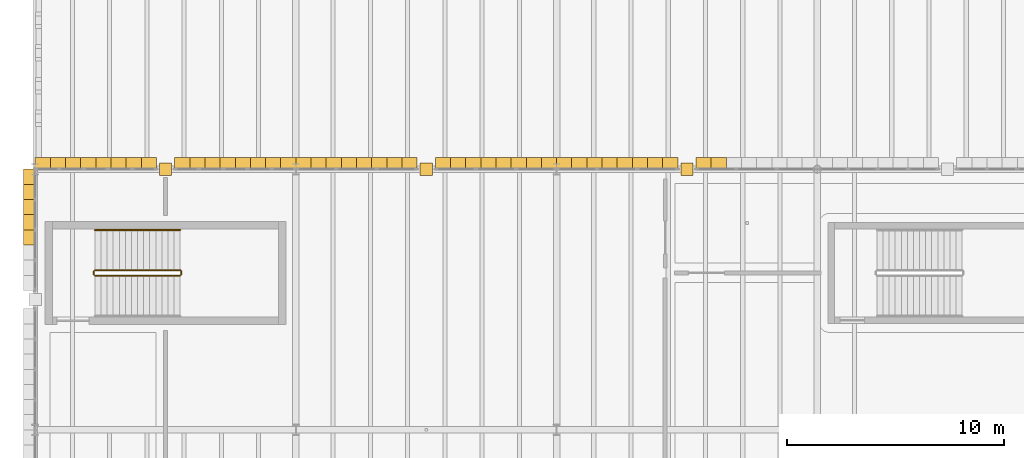
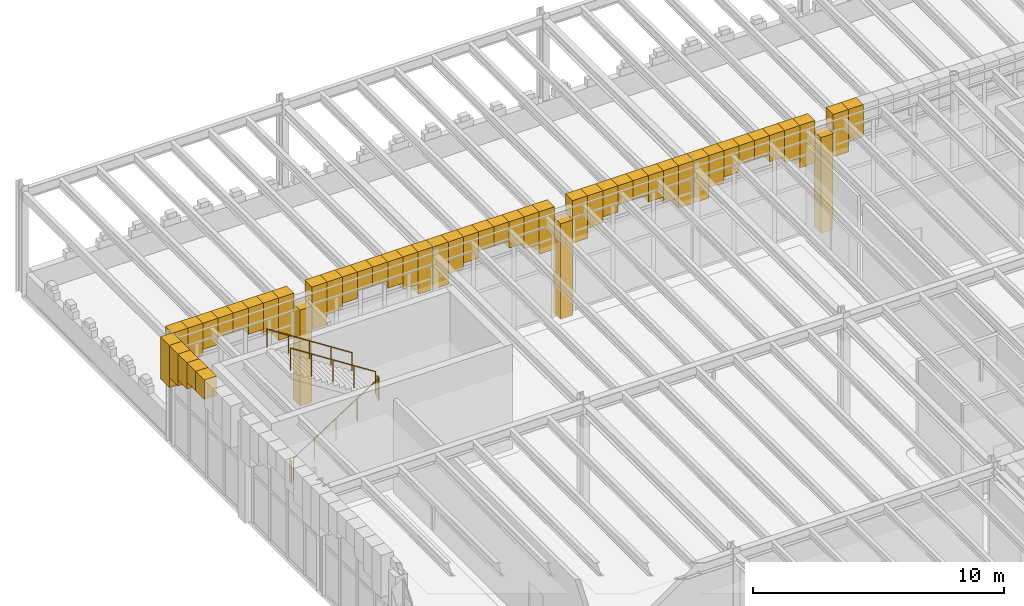
# One storey, part 81 of 100: 50 coverings, 5 railings.
"""IFC4 building model written with IfcOpenShell, lengths in metres."""

from ifc_helpers import new_model, si_unit, direction, frame, origin, origin_2d, place, context, subcontext, project, spatial, polyline, circle, outline, extrude, material, layer, layer_set, type_object, element, save


model = new_model("IFC4")

# Units and contexts
model_context = context("Model", 3, precision=1e-05, world=origin(), true_north=direction((0.0, 1.0)))
body_context = subcontext(model_context, "Body", "Model", "MODEL_VIEW")
ifc_project = project(units=[si_unit("LENGTHUNIT", "METRE"), si_unit("AREAUNIT", "SQUARE_METRE"), si_unit("VOLUMEUNIT", "CUBIC_METRE"), si_unit("PLANEANGLEUNIT", "RADIAN"), si_unit("MASSUNIT", "GRAM", prefix="KILO")], contexts=[model_context])

# Site, building, storey
site_placement = place(None, origin())
site = spatial("IfcSite", under=ifc_project, at=site_placement, CompositionType="ELEMENT")
building_placement = place(site_placement, origin())
building = spatial("IfcBuilding", under=site, at=building_placement, Name="Zlatogorsky Bluff Art Gallery", CompositionType="ELEMENT")
storey_placement = place(building_placement, frame((0.0, 0.0, 5.39990234375)))
storey = spatial("IfcBuildingStorey", under=building, at=storey_placement, Name="L01", CompositionType="ELEMENT", Elevation=5.39990234375)

# Coverings
ifc_material_1 = material(Name="Honed Red Agra-Tone Quartzitic Sandstone", Category="masonry")
ifc_layer = layer(ifc_material_1, 0.1201171875)
ifc_layer_set = layer_set([ifc_layer], Name="Carved Sandstone Cladding CLD-02")
covering_type = type_object("IfcCoveringType", Name="Carved Sandstone Cladding CLD-02", PredefinedType="CLADDING", material=ifc_layer_set)
covering_1_placement = place(storey_placement, frame((0.0, 0.0, -0.02978515625)))
element("IfcCovering", 1, at=covering_1_placement, inside=storey, type_object=covering_type, Name="Mughal dalan central sandstone pier L01 N 0.9", PredefinedType="CLADDING", context=body_context, shape_type="SweptSolid", body=[
    extrude(outline(polyline([(5.719970703125, 107.719970703125), (6.280029296875, 107.719970703125), (6.280029296875, 108.280029296875), (5.719970703125, 108.280029296875), (5.719970703125, 107.719970703125)])), origin(), (0.0, 0.0, 1.0), 4.659912109375),
])
covering_2_placement = place(storey_placement, frame((0.0, 0.0, 3.2978515625)))
element("IfcCovering", 2, at=covering_2_placement, inside=storey, type_object=covering_type, Name="Pointed Mughal arch voussoir spandrel ARCH-CW-L01-N-00-09-A.1", PredefinedType="CLADDING", context=body_context, shape_type="SweptSolid", body=[
    extrude(outline(polyline([(6.419921875, 107.969970703125), (7.117431640625, 107.969970703125), (7.117431640625, 108.5400390625), (6.419921875, 108.5400390625), (6.419921875, 107.969970703125)])), origin(), (0.0, 0.0, 1.0), 2.062255859375),
])
covering_3_placement = place(storey_placement, frame((0.0, 0.0, 3.7998046875)))
element("IfcCovering", 3, at=covering_3_placement, inside=storey, type_object=covering_type, Name="Pointed Mughal arch voussoir spandrel ARCH-CW-L01-N-00-09-A.2", PredefinedType="CLADDING", context=body_context, shape_type="SweptSolid", body=[
    extrude(outline(polyline([(7.117431640625, 107.969970703125), (7.81494140625, 107.969970703125), (7.81494140625, 108.5400390625), (7.117431640625, 108.5400390625), (7.117431640625, 107.969970703125)])), origin(), (0.0, 0.0, 1.0), 1.560302734375),
])
covering_4_placement = place(storey_placement, frame((0.0, 0.0, 4.076416015625)))
element("IfcCovering", 4, at=covering_4_placement, inside=storey, type_object=covering_type, Name="Pointed Mughal arch voussoir spandrel ARCH-CW-L01-N-00-09-A.3", PredefinedType="CLADDING", context=body_context, shape_type="SweptSolid", body=[
    extrude(outline(polyline([(7.81494140625, 107.969970703125), (8.512451171875, 107.969970703125), (8.512451171875, 108.5400390625), (7.81494140625, 108.5400390625), (7.81494140625, 107.969970703125)])), origin(), (0.0, 0.0, 1.0), 1.28369140625),
])
covering_5_placement = place(storey_placement, frame((0.0, 0.0, 4.424560546875)))
element("IfcCovering", 5, at=covering_5_placement, inside=storey, type_object=covering_type, Name="Pointed Mughal arch voussoir spandrel ARCH-CW-L01-N-00-09-A.4", PredefinedType="CLADDING", context=body_context, shape_type="SweptSolid", body=[
    extrude(outline(polyline([(8.512451171875, 107.969970703125), (9.2099609375, 107.969970703125), (9.2099609375, 108.5400390625), (8.512451171875, 108.5400390625), (8.512451171875, 107.969970703125)])), origin(), (0.0, 0.0, 1.0), 0.935546875),
])
covering_6_placement = place(storey_placement, frame((0.0, 0.0, 4.424560546875)))
element("IfcCovering", 6, at=covering_6_placement, inside=storey, type_object=covering_type, Name="Pointed Mughal arch voussoir spandrel ARCH-CW-L01-N-00-09-A.5", PredefinedType="CLADDING", context=body_context, shape_type="SweptSolid", body=[
    extrude(outline(polyline([(9.2099609375, 107.969970703125), (9.907470703125, 107.969970703125), (9.907470703125, 108.5400390625), (9.2099609375, 108.5400390625), (9.2099609375, 107.969970703125)])), origin(), (0.0, 0.0, 1.0), 0.935546875),
])
covering_7_placement = place(storey_placement, frame((0.0, 0.0, 4.076416015625)))
element("IfcCovering", 7, at=covering_7_placement, inside=storey, type_object=covering_type, Name="Pointed Mughal arch voussoir spandrel ARCH-CW-L01-N-00-09-A.6", PredefinedType="CLADDING", context=body_context, shape_type="SweptSolid", body=[
    extrude(outline(polyline([(9.907470703125, 107.969970703125), (10.60498046875, 107.969970703125), (10.60498046875, 108.5400390625), (9.907470703125, 108.5400390625), (9.907470703125, 107.969970703125)])), origin(), (0.0, 0.0, 1.0), 1.28369140625),
])
covering_8_placement = place(storey_placement, frame((0.0, 0.0, 3.7998046875)))
element("IfcCovering", 8, at=covering_8_placement, inside=storey, type_object=covering_type, Name="Pointed Mughal arch voussoir spandrel ARCH-CW-L01-N-00-09-A.7", PredefinedType="CLADDING", context=body_context, shape_type="SweptSolid", body=[
    extrude(outline(polyline([(10.60498046875, 107.969970703125), (11.302490234375, 107.969970703125), (11.302490234375, 108.5400390625), (10.60498046875, 108.5400390625), (10.60498046875, 107.969970703125)])), origin(), (0.0, 0.0, 1.0), 1.560302734375),
])
covering_9_placement = place(storey_placement, frame((0.0, 0.0, 3.2978515625)))
element("IfcCovering", 9, at=covering_9_placement, inside=storey, type_object=covering_type, Name="Pointed Mughal arch voussoir spandrel ARCH-CW-L01-N-00-09-A.8", PredefinedType="CLADDING", context=body_context, shape_type="SweptSolid", body=[
    extrude(outline(polyline([(11.302490234375, 107.969970703125), (12.0, 107.969970703125), (12.0, 108.5400390625), (11.302490234375, 108.5400390625), (11.302490234375, 107.969970703125)])), origin(), (0.0, 0.0, 1.0), 2.062255859375),
])
covering_10_placement = place(storey_placement, frame((0.0, 0.0, 3.2978515625)))
element("IfcCovering", 10, at=covering_10_placement, inside=storey, type_object=covering_type, Name="Pointed Mughal arch voussoir spandrel ARCH-CW-L01-N-00-09-B.1", PredefinedType="CLADDING", context=body_context, shape_type="SweptSolid", body=[
    extrude(outline(polyline([(0.0, 107.969970703125), (0.697509765625, 107.969970703125), (0.697509765625, 108.5400390625), (0.0, 108.5400390625), (0.0, 107.969970703125)])), origin(), (0.0, 0.0, 1.0), 2.062255859375),
])
covering_11_placement = place(storey_placement, frame((0.0, 0.0, 3.7998046875)))
element("IfcCovering", 11, at=covering_11_placement, inside=storey, type_object=covering_type, Name="Pointed Mughal arch voussoir spandrel ARCH-CW-L01-N-00-09-B.2", PredefinedType="CLADDING", context=body_context, shape_type="SweptSolid", body=[
    extrude(outline(polyline([(0.697509765625, 107.969970703125), (1.39501953125, 107.969970703125), (1.39501953125, 108.5400390625), (0.697509765625, 108.5400390625), (0.697509765625, 107.969970703125)])), origin(), (0.0, 0.0, 1.0), 1.560302734375),
])
covering_12_placement = place(storey_placement, frame((0.0, 0.0, 4.076416015625)))
element("IfcCovering", 12, at=covering_12_placement, inside=storey, type_object=covering_type, Name="Pointed Mughal arch voussoir spandrel ARCH-CW-L01-N-00-09-B.3", PredefinedType="CLADDING", context=body_context, shape_type="SweptSolid", body=[
    extrude(outline(polyline([(1.39501953125, 107.969970703125), (2.092529296875, 107.969970703125), (2.092529296875, 108.5400390625), (1.39501953125, 108.5400390625), (1.39501953125, 107.969970703125)])), origin(), (0.0, 0.0, 1.0), 1.28369140625),
])
covering_13_placement = place(storey_placement, frame((0.0, 0.0, 4.424560546875)))
element("IfcCovering", 13, at=covering_13_placement, inside=storey, type_object=covering_type, Name="Pointed Mughal arch voussoir spandrel ARCH-CW-L01-N-00-09-B.4", PredefinedType="CLADDING", context=body_context, shape_type="SweptSolid", body=[
    extrude(outline(polyline([(2.092529296875, 107.969970703125), (2.7900390625, 107.969970703125), (2.7900390625, 108.5400390625), (2.092529296875, 108.5400390625), (2.092529296875, 107.969970703125)])), origin(), (0.0, 0.0, 1.0), 0.935546875),
])
covering_14_placement = place(storey_placement, frame((0.0, 0.0, 4.424560546875)))
element("IfcCovering", 14, at=covering_14_placement, inside=storey, type_object=covering_type, Name="Pointed Mughal arch voussoir spandrel ARCH-CW-L01-N-00-09-B.5", PredefinedType="CLADDING", context=body_context, shape_type="SweptSolid", body=[
    extrude(outline(polyline([(2.7900390625, 107.969970703125), (3.487548828125, 107.969970703125), (3.487548828125, 108.5400390625), (2.7900390625, 108.5400390625), (2.7900390625, 107.969970703125)])), origin(), (0.0, 0.0, 1.0), 0.935546875),
])
covering_15_placement = place(storey_placement, frame((0.0, 0.0, 4.076416015625)))
element("IfcCovering", 15, at=covering_15_placement, inside=storey, type_object=covering_type, Name="Pointed Mughal arch voussoir spandrel ARCH-CW-L01-N-00-09-B.6", PredefinedType="CLADDING", context=body_context, shape_type="SweptSolid", body=[
    extrude(outline(polyline([(3.487548828125, 107.969970703125), (4.18505859375, 107.969970703125), (4.18505859375, 108.5400390625), (3.487548828125, 108.5400390625), (3.487548828125, 107.969970703125)])), origin(), (0.0, 0.0, 1.0), 1.28369140625),
])
covering_16_placement = place(storey_placement, frame((0.0, 0.0, 3.7998046875)))
element("IfcCovering", 16, at=covering_16_placement, inside=storey, type_object=covering_type, Name="Pointed Mughal arch voussoir spandrel ARCH-CW-L01-N-00-09-B.7", PredefinedType="CLADDING", context=body_context, shape_type="SweptSolid", body=[
    extrude(outline(polyline([(4.18505859375, 107.969970703125), (4.882568359375, 107.969970703125), (4.882568359375, 108.5400390625), (4.18505859375, 108.5400390625), (4.18505859375, 107.969970703125)])), origin(), (0.0, 0.0, 1.0), 1.560302734375),
])
covering_17_placement = place(storey_placement, frame((0.0, 0.0, 3.2978515625)))
element("IfcCovering", 17, at=covering_17_placement, inside=storey, type_object=covering_type, Name="Pointed Mughal arch voussoir spandrel ARCH-CW-L01-N-00-09-B.8", PredefinedType="CLADDING", context=body_context, shape_type="SweptSolid", body=[
    extrude(outline(polyline([(4.882568359375, 107.969970703125), (5.580078125, 107.969970703125), (5.580078125, 108.5400390625), (4.882568359375, 108.5400390625), (4.882568359375, 107.969970703125)])), origin(), (0.0, 0.0, 1.0), 2.062255859375),
])
covering_18_placement = place(storey_placement, frame((0.0, 0.0, 4.424560546875)))
element("IfcCovering", 18, at=covering_18_placement, inside=storey, type_object=covering_type, Name="Pointed Mughal arch voussoir spandrel ARCH-CW-L01-W-00-09-A.4", PredefinedType="CLADDING", context=body_context, shape_type="SweptSolid", body=[
    extrude(outline(polyline([(-0.5400390625, 104.512451171875), (-0.5400390625, 105.2099609375), (0.030029296875, 105.2099609375), (0.030029296875, 104.512451171875), (-0.5400390625, 104.512451171875)])), origin(), (0.0, 0.0, 1.0), 0.935546875),
])
covering_19_placement = place(storey_placement, frame((0.0, 0.0, 4.424560546875)))
element("IfcCovering", 19, at=covering_19_placement, inside=storey, type_object=covering_type, Name="Pointed Mughal arch voussoir spandrel ARCH-CW-L01-W-00-09-A.5", PredefinedType="CLADDING", context=body_context, shape_type="SweptSolid", body=[
    extrude(outline(polyline([(-0.5400390625, 105.2099609375), (-0.5400390625, 105.907470703125), (0.030029296875, 105.907470703125), (0.030029296875, 105.2099609375), (-0.5400390625, 105.2099609375)])), origin(), (0.0, 0.0, 1.0), 0.935546875),
])
covering_20_placement = place(storey_placement, frame((0.0, 0.0, 4.076416015625)))
element("IfcCovering", 20, at=covering_20_placement, inside=storey, type_object=covering_type, Name="Pointed Mughal arch voussoir spandrel ARCH-CW-L01-W-00-09-A.6", PredefinedType="CLADDING", context=body_context, shape_type="SweptSolid", body=[
    extrude(outline(polyline([(-0.5400390625, 105.907470703125), (-0.5400390625, 106.60498046875), (0.030029296875, 106.60498046875), (0.030029296875, 105.907470703125), (-0.5400390625, 105.907470703125)])), origin(), (0.0, 0.0, 1.0), 1.28369140625),
])
covering_21_placement = place(storey_placement, frame((0.0, 0.0, 3.7998046875)))
element("IfcCovering", 21, at=covering_21_placement, inside=storey, type_object=covering_type, Name="Pointed Mughal arch voussoir spandrel ARCH-CW-L01-W-00-09-A.7", PredefinedType="CLADDING", context=body_context, shape_type="SweptSolid", body=[
    extrude(outline(polyline([(-0.5400390625, 106.60498046875), (-0.5400390625, 107.302490234375), (0.030029296875, 107.302490234375), (0.030029296875, 106.60498046875), (-0.5400390625, 106.60498046875)])), origin(), (0.0, 0.0, 1.0), 1.560302734375),
])
covering_22_placement = place(storey_placement, frame((0.0, 0.0, 3.2978515625)))
element("IfcCovering", 22, at=covering_22_placement, inside=storey, type_object=covering_type, Name="Pointed Mughal arch voussoir spandrel ARCH-CW-L01-W-00-09-A.8", PredefinedType="CLADDING", context=body_context, shape_type="SweptSolid", body=[
    extrude(outline(polyline([(-0.5400390625, 107.302490234375), (-0.5400390625, 108.0), (0.030029296875, 108.0), (0.030029296875, 107.302490234375), (-0.5400390625, 107.302490234375)])), origin(), (0.0, 0.0, 1.0), 2.062255859375),
])
covering_23_placement = place(storey_placement, frame((0.0, 0.0, -0.02978515625)))
element("IfcCovering", 23, at=covering_23_placement, inside=storey, type_object=covering_type, Name="Mughal dalan central sandstone pier L01 N 1.9", PredefinedType="CLADDING", context=body_context, shape_type="SweptSolid", body=[
    extrude(outline(polyline([(17.719970703125, 107.719970703125), (18.280029296875, 107.719970703125), (18.280029296875, 108.280029296875), (17.719970703125, 108.280029296875), (17.719970703125, 107.719970703125)])), origin(), (0.0, 0.0, 1.0), 4.659912109375),
])
covering_24_placement = place(storey_placement, frame((0.0, 0.0, 3.2978515625)))
element("IfcCovering", 24, at=covering_24_placement, inside=storey, type_object=covering_type, Name="Pointed Mughal arch voussoir spandrel ARCH-CW-L01-N-01-09-A.1", PredefinedType="CLADDING", context=body_context, shape_type="SweptSolid", body=[
    extrude(outline(polyline([(18.419921875, 107.969970703125), (19.117431640625, 107.969970703125), (19.117431640625, 108.5400390625), (18.419921875, 108.5400390625), (18.419921875, 107.969970703125)])), origin(), (0.0, 0.0, 1.0), 2.062255859375),
])
covering_25_placement = place(storey_placement, frame((0.0, 0.0, 3.7998046875)))
element("IfcCovering", 25, at=covering_25_placement, inside=storey, type_object=covering_type, Name="Pointed Mughal arch voussoir spandrel ARCH-CW-L01-N-01-09-A.2", PredefinedType="CLADDING", context=body_context, shape_type="SweptSolid", body=[
    extrude(outline(polyline([(19.117431640625, 107.969970703125), (19.81494140625, 107.969970703125), (19.81494140625, 108.5400390625), (19.117431640625, 108.5400390625), (19.117431640625, 107.969970703125)])), origin(), (0.0, 0.0, 1.0), 1.560302734375),
])
covering_26_placement = place(storey_placement, frame((0.0, 0.0, 4.076416015625)))
element("IfcCovering", 26, at=covering_26_placement, inside=storey, type_object=covering_type, Name="Pointed Mughal arch voussoir spandrel ARCH-CW-L01-N-01-09-A.3", PredefinedType="CLADDING", context=body_context, shape_type="SweptSolid", body=[
    extrude(outline(polyline([(19.81494140625, 107.969970703125), (20.512451171875, 107.969970703125), (20.512451171875, 108.5400390625), (19.81494140625, 108.5400390625), (19.81494140625, 107.969970703125)])), origin(), (0.0, 0.0, 1.0), 1.28369140625),
])
covering_27_placement = place(storey_placement, frame((0.0, 0.0, 4.424560546875)))
element("IfcCovering", 27, at=covering_27_placement, inside=storey, type_object=covering_type, Name="Pointed Mughal arch voussoir spandrel ARCH-CW-L01-N-01-09-A.4", PredefinedType="CLADDING", context=body_context, shape_type="SweptSolid", body=[
    extrude(outline(polyline([(20.512451171875, 107.969970703125), (21.2099609375, 107.969970703125), (21.2099609375, 108.5400390625), (20.512451171875, 108.5400390625), (20.512451171875, 107.969970703125)])), origin(), (0.0, 0.0, 1.0), 0.935546875),
])
covering_28_placement = place(storey_placement, frame((0.0, 0.0, 4.424560546875)))
element("IfcCovering", 28, at=covering_28_placement, inside=storey, type_object=covering_type, Name="Pointed Mughal arch voussoir spandrel ARCH-CW-L01-N-01-09-A.5", PredefinedType="CLADDING", context=body_context, shape_type="SweptSolid", body=[
    extrude(outline(polyline([(21.2099609375, 107.969970703125), (21.907470703125, 107.969970703125), (21.907470703125, 108.5400390625), (21.2099609375, 108.5400390625), (21.2099609375, 107.969970703125)])), origin(), (0.0, 0.0, 1.0), 0.935546875),
])
covering_29_placement = place(storey_placement, frame((0.0, 0.0, 4.076416015625)))
element("IfcCovering", 29, at=covering_29_placement, inside=storey, type_object=covering_type, Name="Pointed Mughal arch voussoir spandrel ARCH-CW-L01-N-01-09-A.6", PredefinedType="CLADDING", context=body_context, shape_type="SweptSolid", body=[
    extrude(outline(polyline([(21.907470703125, 107.969970703125), (22.60498046875, 107.969970703125), (22.60498046875, 108.5400390625), (21.907470703125, 108.5400390625), (21.907470703125, 107.969970703125)])), origin(), (0.0, 0.0, 1.0), 1.28369140625),
])
covering_30_placement = place(storey_placement, frame((0.0, 0.0, 3.7998046875)))
element("IfcCovering", 30, at=covering_30_placement, inside=storey, type_object=covering_type, Name="Pointed Mughal arch voussoir spandrel ARCH-CW-L01-N-01-09-A.7", PredefinedType="CLADDING", context=body_context, shape_type="SweptSolid", body=[
    extrude(outline(polyline([(22.60498046875, 107.969970703125), (23.302490234375, 107.969970703125), (23.302490234375, 108.5400390625), (22.60498046875, 108.5400390625), (22.60498046875, 107.969970703125)])), origin(), (0.0, 0.0, 1.0), 1.560302734375),
])
covering_31_placement = place(storey_placement, frame((0.0, 0.0, 3.2978515625)))
element("IfcCovering", 31, at=covering_31_placement, inside=storey, type_object=covering_type, Name="Pointed Mughal arch voussoir spandrel ARCH-CW-L01-N-01-09-A.8", PredefinedType="CLADDING", context=body_context, shape_type="SweptSolid", body=[
    extrude(outline(polyline([(23.302490234375, 107.969970703125), (24.0, 107.969970703125), (24.0, 108.5400390625), (23.302490234375, 108.5400390625), (23.302490234375, 107.969970703125)])), origin(), (0.0, 0.0, 1.0), 2.062255859375),
])
covering_32_placement = place(storey_placement, frame((0.0, 0.0, 3.2978515625)))
element("IfcCovering", 32, at=covering_32_placement, inside=storey, type_object=covering_type, Name="Pointed Mughal arch voussoir spandrel ARCH-CW-L01-N-01-09-B.1", PredefinedType="CLADDING", context=body_context, shape_type="SweptSolid", body=[
    extrude(outline(polyline([(12.0, 107.969970703125), (12.697509765625, 107.969970703125), (12.697509765625, 108.5400390625), (12.0, 108.5400390625), (12.0, 107.969970703125)])), origin(), (0.0, 0.0, 1.0), 2.062255859375),
])
covering_33_placement = place(storey_placement, frame((0.0, 0.0, 3.7998046875)))
element("IfcCovering", 33, at=covering_33_placement, inside=storey, type_object=covering_type, Name="Pointed Mughal arch voussoir spandrel ARCH-CW-L01-N-01-09-B.2", PredefinedType="CLADDING", context=body_context, shape_type="SweptSolid", body=[
    extrude(outline(polyline([(12.697509765625, 107.969970703125), (13.39501953125, 107.969970703125), (13.39501953125, 108.5400390625), (12.697509765625, 108.5400390625), (12.697509765625, 107.969970703125)])), origin(), (0.0, 0.0, 1.0), 1.560302734375),
])
covering_34_placement = place(storey_placement, frame((0.0, 0.0, 4.076416015625)))
element("IfcCovering", 34, at=covering_34_placement, inside=storey, type_object=covering_type, Name="Pointed Mughal arch voussoir spandrel ARCH-CW-L01-N-01-09-B.3", PredefinedType="CLADDING", context=body_context, shape_type="SweptSolid", body=[
    extrude(outline(polyline([(13.39501953125, 107.969970703125), (14.092529296875, 107.969970703125), (14.092529296875, 108.5400390625), (13.39501953125, 108.5400390625), (13.39501953125, 107.969970703125)])), origin(), (0.0, 0.0, 1.0), 1.28369140625),
])
covering_35_placement = place(storey_placement, frame((0.0, 0.0, 4.424560546875)))
element("IfcCovering", 35, at=covering_35_placement, inside=storey, type_object=covering_type, Name="Pointed Mughal arch voussoir spandrel ARCH-CW-L01-N-01-09-B.4", PredefinedType="CLADDING", context=body_context, shape_type="SweptSolid", body=[
    extrude(outline(polyline([(14.092529296875, 107.969970703125), (14.7900390625, 107.969970703125), (14.7900390625, 108.5400390625), (14.092529296875, 108.5400390625), (14.092529296875, 107.969970703125)])), origin(), (0.0, 0.0, 1.0), 0.935546875),
])
covering_36_placement = place(storey_placement, frame((0.0, 0.0, 4.424560546875)))
element("IfcCovering", 36, at=covering_36_placement, inside=storey, type_object=covering_type, Name="Pointed Mughal arch voussoir spandrel ARCH-CW-L01-N-01-09-B.5", PredefinedType="CLADDING", context=body_context, shape_type="SweptSolid", body=[
    extrude(outline(polyline([(14.7900390625, 107.969970703125), (15.487548828125, 107.969970703125), (15.487548828125, 108.5400390625), (14.7900390625, 108.5400390625), (14.7900390625, 107.969970703125)])), origin(), (0.0, 0.0, 1.0), 0.935546875),
])
covering_37_placement = place(storey_placement, frame((0.0, 0.0, 4.076416015625)))
element("IfcCovering", 37, at=covering_37_placement, inside=storey, type_object=covering_type, Name="Pointed Mughal arch voussoir spandrel ARCH-CW-L01-N-01-09-B.6", PredefinedType="CLADDING", context=body_context, shape_type="SweptSolid", body=[
    extrude(outline(polyline([(15.487548828125, 107.969970703125), (16.18505859375, 107.969970703125), (16.18505859375, 108.5400390625), (15.487548828125, 108.5400390625), (15.487548828125, 107.969970703125)])), origin(), (0.0, 0.0, 1.0), 1.28369140625),
])
covering_38_placement = place(storey_placement, frame((0.0, 0.0, 3.7998046875)))
element("IfcCovering", 38, at=covering_38_placement, inside=storey, type_object=covering_type, Name="Pointed Mughal arch voussoir spandrel ARCH-CW-L01-N-01-09-B.7", PredefinedType="CLADDING", context=body_context, shape_type="SweptSolid", body=[
    extrude(outline(polyline([(16.18505859375, 107.969970703125), (16.882568359375, 107.969970703125), (16.882568359375, 108.5400390625), (16.18505859375, 108.5400390625), (16.18505859375, 107.969970703125)])), origin(), (0.0, 0.0, 1.0), 1.560302734375),
])
covering_39_placement = place(storey_placement, frame((0.0, 0.0, 3.2978515625)))
element("IfcCovering", 39, at=covering_39_placement, inside=storey, type_object=covering_type, Name="Pointed Mughal arch voussoir spandrel ARCH-CW-L01-N-01-09-B.8", PredefinedType="CLADDING", context=body_context, shape_type="SweptSolid", body=[
    extrude(outline(polyline([(16.882568359375, 107.969970703125), (17.580078125, 107.969970703125), (17.580078125, 108.5400390625), (16.882568359375, 108.5400390625), (16.882568359375, 107.969970703125)])), origin(), (0.0, 0.0, 1.0), 2.062255859375),
])
covering_40_placement = place(storey_placement, frame((0.0, 0.0, -0.02978515625)))
element("IfcCovering", 40, at=covering_40_placement, inside=storey, type_object=covering_type, Name="Mughal dalan central sandstone pier L01 N 2.9", PredefinedType="CLADDING", context=body_context, shape_type="SweptSolid", body=[
    extrude(outline(polyline([(29.719970703125, 107.719970703125), (30.280029296875, 107.719970703125), (30.280029296875, 108.280029296875), (29.719970703125, 108.280029296875), (29.719970703125, 107.719970703125)])), origin(), (0.0, 0.0, 1.0), 4.659912109375),
])
covering_41_placement = place(storey_placement, frame((0.0, 0.0, 3.2978515625)))
element("IfcCovering", 41, at=covering_41_placement, inside=storey, type_object=covering_type, Name="Pointed Mughal arch voussoir spandrel ARCH-CW-L01-N-02-09-A.1", PredefinedType="CLADDING", context=body_context, shape_type="SweptSolid", body=[
    extrude(outline(polyline([(30.419921875, 107.969970703125), (31.117431640625, 107.969970703125), (31.117431640625, 108.5400390625), (30.419921875, 108.5400390625), (30.419921875, 107.969970703125)])), origin(), (0.0, 0.0, 1.0), 2.062255859375),
])
covering_42_placement = place(storey_placement, frame((0.0, 0.0, 3.7998046875)))
element("IfcCovering", 42, at=covering_42_placement, inside=storey, type_object=covering_type, Name="Pointed Mughal arch voussoir spandrel ARCH-CW-L01-N-02-09-A.2", PredefinedType="CLADDING", context=body_context, shape_type="SweptSolid", body=[
    extrude(outline(polyline([(31.117431640625, 107.969970703125), (31.81494140625, 107.969970703125), (31.81494140625, 108.5400390625), (31.117431640625, 108.5400390625), (31.117431640625, 107.969970703125)])), origin(), (0.0, 0.0, 1.0), 1.560302734375),
])
covering_43_placement = place(storey_placement, frame((0.0, 0.0, 3.2978515625)))
element("IfcCovering", 43, at=covering_43_placement, inside=storey, type_object=covering_type, Name="Pointed Mughal arch voussoir spandrel ARCH-CW-L01-N-02-09-B.1", PredefinedType="CLADDING", context=body_context, shape_type="SweptSolid", body=[
    extrude(outline(polyline([(24.0, 107.969970703125), (24.697509765625, 107.969970703125), (24.697509765625, 108.5400390625), (24.0, 108.5400390625), (24.0, 107.969970703125)])), origin(), (0.0, 0.0, 1.0), 2.062255859375),
])
covering_44_placement = place(storey_placement, frame((0.0, 0.0, 3.7998046875)))
element("IfcCovering", 44, at=covering_44_placement, inside=storey, type_object=covering_type, Name="Pointed Mughal arch voussoir spandrel ARCH-CW-L01-N-02-09-B.2", PredefinedType="CLADDING", context=body_context, shape_type="SweptSolid", body=[
    extrude(outline(polyline([(24.697509765625, 107.969970703125), (25.39501953125, 107.969970703125), (25.39501953125, 108.5400390625), (24.697509765625, 108.5400390625), (24.697509765625, 107.969970703125)])), origin(), (0.0, 0.0, 1.0), 1.560302734375),
])
covering_45_placement = place(storey_placement, frame((0.0, 0.0, 4.076416015625)))
element("IfcCovering", 45, at=covering_45_placement, inside=storey, type_object=covering_type, Name="Pointed Mughal arch voussoir spandrel ARCH-CW-L01-N-02-09-B.3", PredefinedType="CLADDING", context=body_context, shape_type="SweptSolid", body=[
    extrude(outline(polyline([(25.39501953125, 107.969970703125), (26.092529296875, 107.969970703125), (26.092529296875, 108.5400390625), (25.39501953125, 108.5400390625), (25.39501953125, 107.969970703125)])), origin(), (0.0, 0.0, 1.0), 1.28369140625),
])
covering_46_placement = place(storey_placement, frame((0.0, 0.0, 4.424560546875)))
element("IfcCovering", 46, at=covering_46_placement, inside=storey, type_object=covering_type, Name="Pointed Mughal arch voussoir spandrel ARCH-CW-L01-N-02-09-B.4", PredefinedType="CLADDING", context=body_context, shape_type="SweptSolid", body=[
    extrude(outline(polyline([(26.092529296875, 107.969970703125), (26.7900390625, 107.969970703125), (26.7900390625, 108.5400390625), (26.092529296875, 108.5400390625), (26.092529296875, 107.969970703125)])), origin(), (0.0, 0.0, 1.0), 0.935546875),
])
covering_47_placement = place(storey_placement, frame((0.0, 0.0, 4.424560546875)))
element("IfcCovering", 47, at=covering_47_placement, inside=storey, type_object=covering_type, Name="Pointed Mughal arch voussoir spandrel ARCH-CW-L01-N-02-09-B.5", PredefinedType="CLADDING", context=body_context, shape_type="SweptSolid", body=[
    extrude(outline(polyline([(26.7900390625, 107.969970703125), (27.487548828125, 107.969970703125), (27.487548828125, 108.5400390625), (26.7900390625, 108.5400390625), (26.7900390625, 107.969970703125)])), origin(), (0.0, 0.0, 1.0), 0.935546875),
])
covering_48_placement = place(storey_placement, frame((0.0, 0.0, 4.076416015625)))
element("IfcCovering", 48, at=covering_48_placement, inside=storey, type_object=covering_type, Name="Pointed Mughal arch voussoir spandrel ARCH-CW-L01-N-02-09-B.6", PredefinedType="CLADDING", context=body_context, shape_type="SweptSolid", body=[
    extrude(outline(polyline([(27.487548828125, 107.969970703125), (28.18505859375, 107.969970703125), (28.18505859375, 108.5400390625), (27.487548828125, 108.5400390625), (27.487548828125, 107.969970703125)])), origin(), (0.0, 0.0, 1.0), 1.28369140625),
])
covering_49_placement = place(storey_placement, frame((0.0, 0.0, 3.7998046875)))
element("IfcCovering", 49, at=covering_49_placement, inside=storey, type_object=covering_type, Name="Pointed Mughal arch voussoir spandrel ARCH-CW-L01-N-02-09-B.7", PredefinedType="CLADDING", context=body_context, shape_type="SweptSolid", body=[
    extrude(outline(polyline([(28.18505859375, 107.969970703125), (28.882568359375, 107.969970703125), (28.882568359375, 108.5400390625), (28.18505859375, 108.5400390625), (28.18505859375, 107.969970703125)])), origin(), (0.0, 0.0, 1.0), 1.560302734375),
])
covering_50_placement = place(storey_placement, frame((0.0, 0.0, 3.2978515625)))
element("IfcCovering", 50, at=covering_50_placement, inside=storey, type_object=covering_type, Name="Pointed Mughal arch voussoir spandrel ARCH-CW-L01-N-02-09-B.8", PredefinedType="CLADDING", context=body_context, shape_type="SweptSolid", body=[
    extrude(outline(polyline([(28.882568359375, 107.969970703125), (29.580078125, 107.969970703125), (29.580078125, 108.5400390625), (28.882568359375, 108.5400390625), (28.882568359375, 107.969970703125)])), origin(), (0.0, 0.0, 1.0), 2.062255859375),
])

# Railings
ifc_material_2 = material(Name="Architectural Bronze and Laminated Glass", Category="glass")
railing_type_1 = type_object("IfcRailingType", Name="Gallery Guard Rail 1100mm", PredefinedType="GUARDRAIL", material=ifc_material_2)
railing_1_placement = place(storey_placement, frame((2.75, 103.10009765625, 0.18017578125)))
element("IfcRailing", 51, at=railing_1_placement, inside=storey, type_object=railing_type_1, Name="L01 ST-05 stair guard 1", PredefinedType="GUARDRAIL", context=body_context, shape_type="SweptSolid", body=[
    extrude(circle(Radius=0.02392578125, at=origin_2d()), frame((0.0, 0.0, 1.076171875), z_axis=(0.841171666519, 0.0, 0.540768182723), x_axis=(0.0, 1.0, 0.0)), (0.0, 0.0, 1.0), 4.66015625),
    extrude(circle(Radius=0.02099609375, at=origin_2d()), origin(), (0.0, 0.0, 1.0), 1.052001953125),
    extrude(circle(Radius=0.02099609375, at=origin_2d()), frame((0.97998046875, 0.0, 0.6298828125)), (0.0, 0.0, 1.0), 1.052001953125),
    extrude(circle(Radius=0.02099609375, at=origin_2d()), frame((1.9599609375, 0.0, 1.260009765625)), (0.0, 0.0, 1.0), 1.052001953125),
    extrude(circle(Radius=0.02099609375, at=origin_2d()), frame((2.93994140625, 0.0, 1.89013671875)), (0.0, 0.0, 1.0), 1.052001953125),
    extrude(circle(Radius=0.02099609375, at=origin_2d()), frame((3.919921875, 0.0, 2.52001953125)), (0.0, 0.0, 1.0), 1.052001953125),
])
railing_2_placement = place(storey_placement, frame((6.719970703125, 103.14990234375, 2.7001953125)))
element("IfcRailing", 52, at=railing_2_placement, inside=storey, type_object=railing_type_1, Name="L01 ST-05 stair guard 2", PredefinedType="GUARDRAIL", context=body_context, shape_type="SweptSolid", body=[
    extrude(circle(Radius=0.02392578125, at=origin_2d()), frame((0.0, 0.0, 1.076171875), z_axis=(0.0, 1.0, 0.0), x_axis=(-1.0, 0.0, 0.0)), (0.0, 0.0, 1.0), 0.150146484375),
    extrude(circle(Radius=0.02099609375, at=origin_2d()), origin(), (0.0, 0.0, 1.0), 1.052001953125),
    extrude(circle(Radius=0.02099609375, at=origin_2d()), frame((0.0, 0.150146484375, 0.0)), (0.0, 0.0, 1.0), 1.052001953125),
])
railing_3_placement = place(storey_placement, frame((6.669921875, 103.35009765625, 2.880126953125)))
element("IfcRailing", 53, at=railing_3_placement, inside=storey, type_object=railing_type_1, Name="L01 ST-05 stair guard 3", PredefinedType="GUARDRAIL", context=body_context, shape_type="SweptSolid", body=[
    extrude(circle(Radius=0.02392578125, at=origin_2d()), frame((0.0, 0.0, 1.076171875), z_axis=(-0.841171666519, 0.0, 0.540768182723), x_axis=(0.0, -1.0, 0.0)), (0.0, 0.0, 1.0), 4.66015625),
    extrude(circle(Radius=0.02099609375, at=origin_2d()), origin(), (0.0, 0.0, 1.0), 1.052001953125),
    extrude(circle(Radius=0.02099609375, at=origin_2d()), frame((-0.97998046875, 0.0, 0.6298828125)), (0.0, 0.0, 1.0), 1.052001953125),
    extrude(circle(Radius=0.02099609375, at=origin_2d()), frame((-1.9599609375, 0.0, 1.260009765625)), (0.0, 0.0, 1.0), 1.052001953125),
    extrude(circle(Radius=0.02099609375, at=origin_2d()), frame((-2.93994140625, 0.0, 1.89013671875)), (0.0, 0.0, 1.0), 1.052001953125),
    extrude(circle(Radius=0.02099609375, at=origin_2d()), frame((-3.919921875, 0.0, 2.52001953125)), (0.0, 0.0, 1.0), 1.052001953125),
])
railing_4_placement = place(storey_placement, frame((2.699951171875, 103.14990234375, 0.0)))
element("IfcRailing", 54, at=railing_4_placement, inside=storey, type_object=railing_type_1, Name="L01 ST-05 stair guard 4", PredefinedType="GUARDRAIL", context=body_context, shape_type="SweptSolid", body=[
    extrude(circle(Radius=0.02392578125, at=origin_2d()), frame((0.0, 0.0, 1.076171875), z_axis=(0.0, 1.0, 0.0), x_axis=(-1.0, 0.0, 0.0)), (0.0, 0.0, 1.0), 0.150146484375),
    extrude(circle(Radius=0.02099609375, at=origin_2d()), origin(), (0.0, 0.0, 1.0), 1.052001953125),
    extrude(circle(Radius=0.02099609375, at=origin_2d()), frame((0.0, 0.150146484375, 0.0)), (0.0, 0.0, 1.0), 1.052001953125),
])
ifc_material_3 = material(Name="Brushed Stainless Steel", Category="steel")
railing_type_2 = type_object("IfcRailingType", Name="Stair Pitch Handrail 900mm", PredefinedType="HANDRAIL", material=ifc_material_3)
railing_5_placement = place(storey_placement, frame((6.669921875, 105.199951171875, 2.880126953125)))
element("IfcRailing", 55, at=railing_5_placement, inside=storey, type_object=railing_type_2, Name="L01 ST-05 stair handrail 2", PredefinedType="HANDRAIL", context=body_context, shape_type="SweptSolid", body=[
    extrude(circle(Radius=0.02392578125, at=origin_2d()), frame((0.0, 0.0, 0.8759765625), z_axis=(-0.841171666519, 0.0, 0.540768182723), x_axis=(0.0, -1.0, 0.0)), (0.0, 0.0, 1.0), 4.66015625),
    extrude(circle(Radius=0.02099609375, at=origin_2d()), origin(), (0.0, 0.0, 1.0), 0.851806640625),
    extrude(circle(Radius=0.02099609375, at=origin_2d()), frame((-0.97998046875, 0.0, 0.6298828125)), (0.0, 0.0, 1.0), 0.851806640625),
    extrude(circle(Radius=0.02099609375, at=origin_2d()), frame((-1.9599609375, 0.0, 1.260009765625)), (0.0, 0.0, 1.0), 0.851806640625),
    extrude(circle(Radius=0.02099609375, at=origin_2d()), frame((-2.93994140625, 0.0, 1.89013671875)), (0.0, 0.0, 1.0), 0.851806640625),
    extrude(circle(Radius=0.02099609375, at=origin_2d()), frame((-3.919921875, 0.0, 2.52001953125)), (0.0, 0.0, 1.0), 0.851806640625),
])

save(model, "model.ifc")
